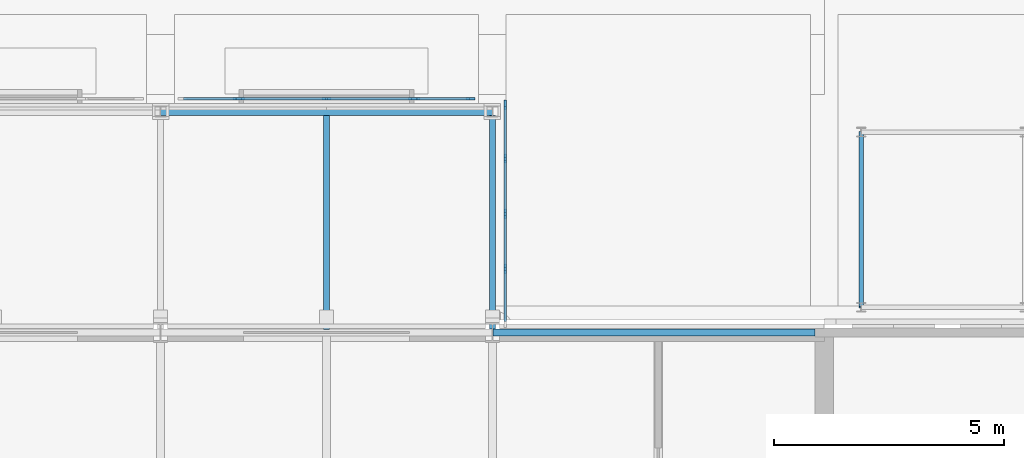
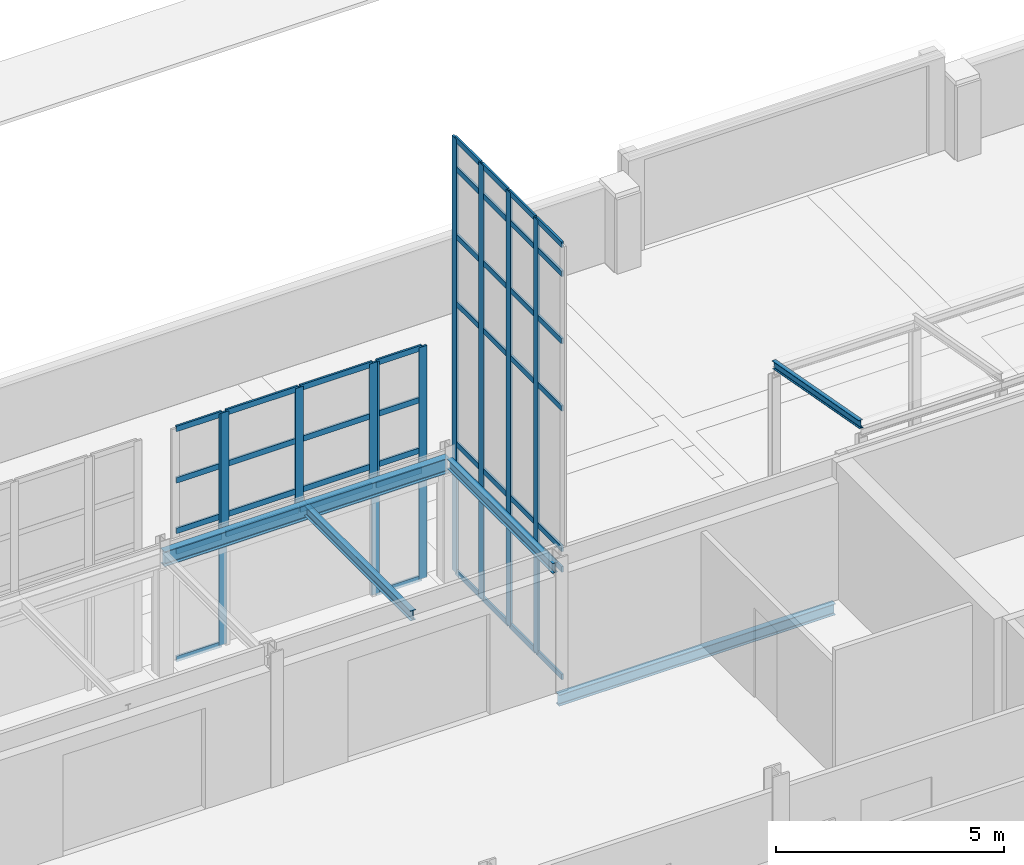
# One storey, part 53 of 143: 56 members, 5 beams, 4 elements without a shape of their own.
"""IFC4 building model written with IfcOpenShell, lengths in metres."""

from ifc_helpers import new_model, si_unit, direction, frame, origin, origin_2d, place, context, subcontext, project, spatial, rectangle, i_section, extrude, material, material_profile, profile_set, type_object, element, aggregate, save


model = new_model("IFC4")

# Units and contexts
model_context = context("Model", 3, precision=1e-05, world=origin(), true_north=direction((0.0, 1.0)))
body_context = subcontext(model_context, "Body", "Model", "MODEL_VIEW")
ifc_project = project(units=[si_unit("LENGTHUNIT", "METRE"), si_unit("AREAUNIT", "SQUARE_METRE"), si_unit("VOLUMEUNIT", "CUBIC_METRE"), si_unit("PLANEANGLEUNIT", "RADIAN"), si_unit("MASSUNIT", "GRAM", prefix="KILO")], contexts=[model_context])

# Site, building, storey
site_placement = place(None, origin())
site = spatial("IfcSite", under=ifc_project, at=site_placement, CompositionType="ELEMENT")
building_placement = place(site_placement, origin())
building = spatial("IfcBuilding", under=site, at=building_placement, Name="Kupolbacken Congress Centre", CompositionType="ELEMENT")
storey_placement = place(building_placement, frame((0.0, 0.0, 7.199951171875)))
storey = spatial("IfcBuildingStorey", under=building, at=storey_placement, Name="L02", CompositionType="ELEMENT", Elevation=7.199951171875)

# Beams
ifc_material_1 = material(Name="Steel S355", Category="steel")
ifc_material_profile_1 = material_profile(ifc_material_1, i_section(OverallWidth=0.10009765625, OverallDepth=0.199951171875, WebThickness=0.005615234375, FlangeThickness=0.008544921875, FilletRadius=0.011962890625, at=origin_2d()), Name="IPE 200")
ifc_profile_set_1 = profile_set([ifc_material_profile_1], Name="Steel S355")
beam_type_1 = type_object("IfcBeamType", Name="B01 beam IPE 200", PredefinedType="BEAM", material=ifc_profile_set_1)
beam_1_placement = place(storey_placement, frame((94.39990234375, 144.550048828125, 3.89013671875), z_axis=(0.0, 0.983444596616, -0.181209065409), x_axis=(-1.0, 0.0, 0.0)))
element("IfcBeam", 1, at=beam_1_placement, inside=storey, type_object=beam_type_1, Name="Covered passage rafter", PredefinedType="BEAM", context=body_context, shape_type="SweptSolid", body=[
    extrude(i_section(OverallWidth=0.10009765625, OverallDepth=0.199951171875, WebThickness=0.005615234375, FlangeThickness=0.008544921875, FilletRadius=0.011962890625, at=origin_2d()), origin(), (0.0, 0.0, 1.0), 3.864013671875),
])
ifc_material_2 = material(Name="Steel S355", Category="steel")
ifc_material_profile_2 = material_profile(ifc_material_2, i_section(OverallWidth=0.135009765625, OverallDepth=0.27001953125, WebThickness=0.006591796875, FlangeThickness=0.01025390625, FilletRadius=0.014892578125, at=origin_2d()), Name="IPE 270")
ifc_profile_set_2 = profile_set([ifc_material_profile_2], Name="Steel S355")
beam_type_2 = type_object("IfcBeamType", Name="B03 beam IPE 270", PredefinedType="BEAM", material=ifc_profile_set_2)
beam_2_placement = place(storey_placement, frame((82.800048828125, 144.06494140625, 3.135009765625), z_axis=(0.0, 1.0, 0.0), x_axis=(-1.0, 0.0, 0.0)))
element("IfcBeam", 2, at=beam_2_placement, inside=storey, type_object=beam_type_2, Name="E/T/portico/N/raft82.8", PredefinedType="BEAM", context=body_context, shape_type="SweptSolid", body=[
    extrude(i_section(OverallWidth=0.135009765625, OverallDepth=0.27001953125, WebThickness=0.006591796875, FlangeThickness=0.01025390625, FilletRadius=0.014892578125, at=origin_2d()), origin(), (0.0, 0.0, 1.0), 4.650146484375),
])
beam_3_placement = place(storey_placement, frame((86.39990234375, 144.080078125, 3.135009765625), z_axis=(0.0, 1.0, 0.0), x_axis=(-1.0, 0.0, 0.0)))
element("IfcBeam", 3, at=beam_3_placement, inside=storey, type_object=beam_type_2, Name="E/T/portico/N/raft86.4", PredefinedType="BEAM", context=body_context, shape_type="SweptSolid", body=[
    extrude(i_section(OverallWidth=0.135009765625, OverallDepth=0.27001953125, WebThickness=0.006591796875, FlangeThickness=0.01025390625, FilletRadius=0.014892578125, at=origin_2d()), origin(), (0.0, 0.0, 1.0), 4.635009765625),
])
ifc_material_3 = material(Name="Steel S355", Category="steel")
ifc_material_profile_3 = material_profile(ifc_material_3, i_section(OverallWidth=0.14990234375, OverallDepth=0.300048828125, WebThickness=0.007080078125, FlangeThickness=0.0107421875, FilletRadius=0.014892578125, at=origin_2d()), Name="IPE 300")
ifc_profile_set_3 = profile_set([ifc_material_profile_3], Name="Steel S355")
beam_type_3 = type_object("IfcBeamType", Name="B04 beam IPE 300", PredefinedType="BEAM", material=ifc_profile_set_3)
beam_4_placement = place(storey_placement, frame((86.410400390625, 144.0, -0.329833984375), z_axis=(1.0, 0.0, 0.0), x_axis=(0.0, 1.0, 0.0)))
element("IfcBeam", 4, at=beam_4_placement, inside=storey, type_object=beam_type_3, Name="S/floor/T/L02/R026", PredefinedType="BEAM", context=body_context, shape_type="SweptSolid", body=[
    extrude(i_section(OverallWidth=0.14990234375, OverallDepth=0.300048828125, WebThickness=0.007080078125, FlangeThickness=0.0107421875, FilletRadius=0.014892578125, at=origin_2d()), origin(), (0.0, 0.0, 1.0), 6.989501953125),
])
ifc_material_4 = material(Name="Steel S355", Category="steel")
ifc_material_profile_4 = material_profile(ifc_material_4, i_section(OverallWidth=0.179931640625, OverallDepth=0.39990234375, WebThickness=0.008544921875, FlangeThickness=0.013427734375, FilletRadius=0.02099609375, at=origin_2d()), Name="IPE 400")
ifc_profile_set_4 = profile_set([ifc_material_profile_4], Name="Steel S355")
beam_type_4 = type_object("IfcBeamType", Name="B07 beam IPE 400", PredefinedType="BEAM", material=ifc_profile_set_4)
beam_5_placement = place(storey_placement, frame((79.199951171875, 148.800048828125, 3.070068359375), z_axis=(1.0, 0.0, 0.0), x_axis=(0.0, 1.0, 0.0)))
element("IfcBeam", 5, at=beam_5_placement, inside=storey, type_object=beam_type_4, Name="E/T/portico/N/lintel79.2", PredefinedType="BEAM", context=body_context, shape_type="SweptSolid", body=[
    extrude(i_section(OverallWidth=0.179931640625, OverallDepth=0.39990234375, WebThickness=0.008544921875, FlangeThickness=0.013427734375, FilletRadius=0.02099609375, at=origin_2d()), origin(), (0.0, 0.0, 1.0), 7.199951171875),
])

# Curtain wall, member
ifc_material_5 = material(Name="Aluminium mullion-transom frame with glass", Category="aluminium")
curtain_wall_type = type_object("IfcCurtainWallType", Name="CW1 curtain wall 7200x3600", PredefinedType="NOTDEFINED", material=ifc_material_5)
curtain_wall_1_placement = place(storey_placement, origin())
curtain_wall_1 = element("IfcCurtainWall", 6, at=curtain_wall_1_placement, inside=storey, type_object=curtain_wall_type, Name="E/T/portal/N/screen79.2/sideW", PredefinedType="NOTDEFINED")
ifc_material_6 = material(Name="Aluminium alloy", Category="aluminium")
ifc_material_profile_5 = material_profile(ifc_material_6, rectangle(XDim=0.050048828125, YDim=0.199951171875, at=origin_2d()), Name="50 x 200")
ifc_profile_set_5 = profile_set([ifc_material_profile_5], Name="Aluminium alloy")
member_type_1 = type_object("IfcMemberType", Name="MU2 mullion 50x200", PredefinedType="MULLION", material=ifc_profile_set_5)
member_1_placement = place(storey_placement, frame((80.875, 149.074951171875, 0.0), z_axis=(0.0, 0.0, 1.0), x_axis=(0.0, -1.0, 0.0)))
member_1 = element("IfcMember", 7, at=member_1_placement, type_object=member_type_1, Name="CW1 mullion 1", PredefinedType="MULLION", context=body_context, shape_type="SweptSolid", body=[
    extrude(rectangle(XDim=0.050048828125, YDim=0.199951171875, at=origin_2d()), origin(), (0.0, 0.0, 1.0), 6.199951171875),
])

# Curtain wall, members
curtain_wall_2_placement = place(storey_placement, origin())
curtain_wall_2 = element("IfcCurtainWall", 8, at=curtain_wall_2_placement, inside=storey, type_object=curtain_wall_type, Name="E/T/portal/N/screen79.2/sideE", PredefinedType="NOTDEFINED")
member_2_placement = place(storey_placement, frame((85.925048828125, 149.074951171875, 0.0), z_axis=(0.0, 0.0, 1.0), x_axis=(0.0, -1.0, 0.0)))
member_2 = element("IfcMember", 9, at=member_2_placement, type_object=member_type_1, Name="CW1 mullion 1", PredefinedType="MULLION", context=body_context, shape_type="SweptSolid", body=[
    extrude(rectangle(XDim=0.050048828125, YDim=0.199951171875, at=origin_2d()), origin(), (0.0, 0.0, 1.0), 6.199951171875),
])
member_3_placement = place(storey_placement, frame((84.72509765625, 149.074951171875, 0.0), z_axis=(0.0, 0.0, 1.0), x_axis=(0.0, -1.0, 0.0)))
member_3 = element("IfcMember", 10, at=member_3_placement, type_object=member_type_1, Name="CW1 mullion 2", PredefinedType="MULLION", context=body_context, shape_type="SweptSolid", body=[
    extrude(rectangle(XDim=0.050048828125, YDim=0.199951171875, at=origin_2d()), origin(), (0.0, 0.0, 1.0), 6.199951171875),
])

curtain_wall_3_placement = place(storey_placement, origin())
curtain_wall_3 = element("IfcCurtainWall", 11, at=curtain_wall_3_placement, inside=storey, type_object=curtain_wall_type, Name="E/T/portal/N/screen79.2/over", PredefinedType="NOTDEFINED")
member_4_placement = place(storey_placement, frame((84.675048828125, 149.074951171875, 2.900146484375), z_axis=(0.0, 0.0, 1.0), x_axis=(0.0, -1.0, 0.0)))
member_4 = element("IfcMember", 12, at=member_4_placement, type_object=member_type_1, Name="CW1 mullion 1", PredefinedType="MULLION", context=body_context, shape_type="SweptSolid", body=[
    extrude(rectangle(XDim=0.050048828125, YDim=0.199951171875, at=origin_2d()), origin(), (0.0, 0.0, 1.0), 3.2998046875),
])
member_5_placement = place(storey_placement, frame((82.800048828125, 149.074951171875, 2.900146484375), z_axis=(0.0, 0.0, 1.0), x_axis=(0.0, -1.0, 0.0)))
member_5 = element("IfcMember", 13, at=member_5_placement, type_object=member_type_1, Name="CW1 mullion 2", PredefinedType="MULLION", context=body_context, shape_type="SweptSolid", body=[
    extrude(rectangle(XDim=0.050048828125, YDim=0.199951171875, at=origin_2d()), origin(), (0.0, 0.0, 1.0), 3.2998046875),
])
member_6_placement = place(storey_placement, frame((80.925048828125, 149.074951171875, 2.900146484375), z_axis=(0.0, 0.0, 1.0), x_axis=(0.0, -1.0, 0.0)))
member_6 = element("IfcMember", 14, at=member_6_placement, type_object=member_type_1, Name="CW1 mullion 3", PredefinedType="MULLION", context=body_context, shape_type="SweptSolid", body=[
    extrude(rectangle(XDim=0.050048828125, YDim=0.199951171875, at=origin_2d()), origin(), (0.0, 0.0, 1.0), 3.2998046875),
])

curtain_wall_4_placement = place(storey_placement, origin())
curtain_wall_4 = element("IfcCurtainWall", 15, at=curtain_wall_4_placement, inside=storey, type_object=curtain_wall_type, Name="E/T/portal/N/screenE", PredefinedType="NOTDEFINED")
member_7_placement = place(storey_placement, frame((86.679931640625, 148.945068359375, 0.0), z_axis=(0.0, 0.0, 1.0), x_axis=(1.0, 0.0, 0.0)))
member_7 = element("IfcMember", 16, at=member_7_placement, type_object=member_type_1, Name="CW1 mullion 1", PredefinedType="MULLION", context=body_context, shape_type="SweptSolid", body=[
    extrude(rectangle(XDim=0.050048828125, YDim=0.199951171875, at=origin_2d()), origin(), (0.0, 0.0, 1.0), 11.60009765625),
])
member_8_placement = place(storey_placement, frame((86.679931640625, 147.77490234375, 0.0), z_axis=(0.0, 0.0, 1.0), x_axis=(1.0, 0.0, 0.0)))
member_8 = element("IfcMember", 17, at=member_8_placement, type_object=member_type_1, Name="CW1 mullion 2", PredefinedType="MULLION", context=body_context, shape_type="SweptSolid", body=[
    extrude(rectangle(XDim=0.050048828125, YDim=0.199951171875, at=origin_2d()), origin(), (0.0, 0.0, 1.0), 11.60009765625),
])
member_9_placement = place(storey_placement, frame((86.679931640625, 146.580078125, 0.0), z_axis=(0.0, 0.0, 1.0), x_axis=(1.0, 0.0, 0.0)))
member_9 = element("IfcMember", 18, at=member_9_placement, type_object=member_type_1, Name="CW1 mullion 3", PredefinedType="MULLION", context=body_context, shape_type="SweptSolid", body=[
    extrude(rectangle(XDim=0.050048828125, YDim=0.199951171875, at=origin_2d()), origin(), (0.0, 0.0, 1.0), 11.60009765625),
])
member_10_placement = place(storey_placement, frame((86.679931640625, 145.385009765625, 0.0), z_axis=(0.0, 0.0, 1.0), x_axis=(1.0, 0.0, 0.0)))
member_10 = element("IfcMember", 19, at=member_10_placement, type_object=member_type_1, Name="CW1 mullion 4", PredefinedType="MULLION", context=body_context, shape_type="SweptSolid", body=[
    extrude(rectangle(XDim=0.050048828125, YDim=0.199951171875, at=origin_2d()), origin(), (0.0, 0.0, 1.0), 11.60009765625),
])

# Member
ifc_material_7 = material(Name="Aluminium alloy", Category="aluminium")
ifc_material_profile_6 = material_profile(ifc_material_7, rectangle(XDim=0.050048828125, YDim=0.14990234375, at=origin_2d()), Name="50 x 150")
ifc_profile_set_6 = profile_set([ifc_material_profile_6], Name="Aluminium alloy")
member_type_2 = type_object("IfcMemberType", Name="TR2 transom 50x150", PredefinedType="MULLION", material=ifc_profile_set_6)
member_11_placement = place(storey_placement, frame((80.85009765625, 149.074951171875, 0.025146484375), z_axis=(-1.0, 0.0, 0.0), x_axis=(0.0, -1.0, 0.0)))
member_11 = element("IfcMember", 20, at=member_11_placement, type_object=member_type_2, Name="CW1 transom 1.1", PredefinedType="MULLION", context=body_context, shape_type="SweptSolid", body=[
    extrude(rectangle(XDim=0.050048828125, YDim=0.14990234375, at=origin_2d()), origin(), (0.0, 0.0, 1.0), 1.150146484375),
])

member_12_placement = place(storey_placement, frame((80.85009765625, 149.074951171875, 2.900146484375), z_axis=(-1.0, 0.0, 0.0), x_axis=(0.0, -1.0, 0.0)))
member_12 = element("IfcMember", 21, at=member_12_placement, type_object=member_type_2, Name="CW1 transom 1.2", PredefinedType="MULLION", context=body_context, shape_type="SweptSolid", body=[
    extrude(rectangle(XDim=0.050048828125, YDim=0.14990234375, at=origin_2d()), origin(), (0.0, 0.0, 1.0), 1.150146484375),
])

member_13_placement = place(storey_placement, frame((80.85009765625, 149.074951171875, 3.449951171875), z_axis=(-1.0, 0.0, 0.0), x_axis=(0.0, -1.0, 0.0)))
member_13 = element("IfcMember", 22, at=member_13_placement, type_object=member_type_2, Name="CW1 transom 1.3", PredefinedType="MULLION", context=body_context, shape_type="SweptSolid", body=[
    extrude(rectangle(XDim=0.050048828125, YDim=0.14990234375, at=origin_2d()), origin(), (0.0, 0.0, 1.0), 1.150146484375),
])

member_14_placement = place(storey_placement, frame((80.85009765625, 149.074951171875, 4.800048828125), z_axis=(-1.0, 0.0, 0.0), x_axis=(0.0, -1.0, 0.0)))
member_14 = element("IfcMember", 23, at=member_14_placement, type_object=member_type_2, Name="CW1 transom 1.4", PredefinedType="MULLION", context=body_context, shape_type="SweptSolid", body=[
    extrude(rectangle(XDim=0.050048828125, YDim=0.14990234375, at=origin_2d()), origin(), (0.0, 0.0, 1.0), 1.150146484375),
])

member_15_placement = place(storey_placement, frame((80.85009765625, 149.074951171875, 6.175048828125), z_axis=(-1.0, 0.0, 0.0), x_axis=(0.0, -1.0, 0.0)))
member_15 = element("IfcMember", 24, at=member_15_placement, type_object=member_type_2, Name="CW1 transom 1.5", PredefinedType="MULLION", context=body_context, shape_type="SweptSolid", body=[
    extrude(rectangle(XDim=0.050048828125, YDim=0.14990234375, at=origin_2d()), origin(), (0.0, 0.0, 1.0), 1.150146484375),
])

aggregate(curtain_wall_1, [member_1, member_11, member_12, member_13, member_14, member_15])

member_16_placement = place(storey_placement, frame((85.89990234375, 149.074951171875, 0.025146484375), z_axis=(-1.0, 0.0, 0.0), x_axis=(0.0, -1.0, 0.0)))
member_16 = element("IfcMember", 25, at=member_16_placement, type_object=member_type_2, Name="CW1 transom 1.1", PredefinedType="MULLION", context=body_context, shape_type="SweptSolid", body=[
    extrude(rectangle(XDim=0.050048828125, YDim=0.14990234375, at=origin_2d()), origin(), (0.0, 0.0, 1.0), 1.14990234375),
])

member_17_placement = place(storey_placement, frame((85.89990234375, 149.074951171875, 2.900146484375), z_axis=(-1.0, 0.0, 0.0), x_axis=(0.0, -1.0, 0.0)))
member_17 = element("IfcMember", 26, at=member_17_placement, type_object=member_type_2, Name="CW1 transom 1.2", PredefinedType="MULLION", context=body_context, shape_type="SweptSolid", body=[
    extrude(rectangle(XDim=0.050048828125, YDim=0.14990234375, at=origin_2d()), origin(), (0.0, 0.0, 1.0), 1.14990234375),
])

member_18_placement = place(storey_placement, frame((85.89990234375, 149.074951171875, 3.449951171875), z_axis=(-1.0, 0.0, 0.0), x_axis=(0.0, -1.0, 0.0)))
member_18 = element("IfcMember", 27, at=member_18_placement, type_object=member_type_2, Name="CW1 transom 1.3", PredefinedType="MULLION", context=body_context, shape_type="SweptSolid", body=[
    extrude(rectangle(XDim=0.050048828125, YDim=0.14990234375, at=origin_2d()), origin(), (0.0, 0.0, 1.0), 1.14990234375),
])

member_19_placement = place(storey_placement, frame((85.89990234375, 149.074951171875, 4.800048828125), z_axis=(-1.0, 0.0, 0.0), x_axis=(0.0, -1.0, 0.0)))
member_19 = element("IfcMember", 28, at=member_19_placement, type_object=member_type_2, Name="CW1 transom 1.4", PredefinedType="MULLION", context=body_context, shape_type="SweptSolid", body=[
    extrude(rectangle(XDim=0.050048828125, YDim=0.14990234375, at=origin_2d()), origin(), (0.0, 0.0, 1.0), 1.14990234375),
])

member_20_placement = place(storey_placement, frame((85.89990234375, 149.074951171875, 6.175048828125), z_axis=(-1.0, 0.0, 0.0), x_axis=(0.0, -1.0, 0.0)))
member_20 = element("IfcMember", 29, at=member_20_placement, type_object=member_type_2, Name="CW1 transom 1.5", PredefinedType="MULLION", context=body_context, shape_type="SweptSolid", body=[
    extrude(rectangle(XDim=0.050048828125, YDim=0.14990234375, at=origin_2d()), origin(), (0.0, 0.0, 1.0), 1.14990234375),
])

aggregate(curtain_wall_2, [member_2, member_3, member_16, member_17, member_18, member_19, member_20])

member_21_placement = place(storey_placement, frame((84.64990234375, 149.074951171875, 2.925048828125), z_axis=(-1.0, 0.0, 0.0), x_axis=(0.0, -1.0, 0.0)))
member_21 = element("IfcMember", 30, at=member_21_placement, type_object=member_type_2, Name="CW1 transom 1.1", PredefinedType="MULLION", context=body_context, shape_type="SweptSolid", body=[
    extrude(rectangle(XDim=0.050048828125, YDim=0.14990234375, at=origin_2d()), origin(), (0.0, 0.0, 1.0), 1.824951171875),
])

member_22_placement = place(storey_placement, frame((84.64990234375, 149.074951171875, 3.449951171875), z_axis=(-1.0, 0.0, 0.0), x_axis=(0.0, -1.0, 0.0)))
member_22 = element("IfcMember", 31, at=member_22_placement, type_object=member_type_2, Name="CW1 transom 1.2", PredefinedType="MULLION", context=body_context, shape_type="SweptSolid", body=[
    extrude(rectangle(XDim=0.050048828125, YDim=0.14990234375, at=origin_2d()), origin(), (0.0, 0.0, 1.0), 1.824951171875),
])

member_23_placement = place(storey_placement, frame((84.64990234375, 149.074951171875, 4.800048828125), z_axis=(-1.0, 0.0, 0.0), x_axis=(0.0, -1.0, 0.0)))
member_23 = element("IfcMember", 32, at=member_23_placement, type_object=member_type_2, Name="CW1 transom 1.3", PredefinedType="MULLION", context=body_context, shape_type="SweptSolid", body=[
    extrude(rectangle(XDim=0.050048828125, YDim=0.14990234375, at=origin_2d()), origin(), (0.0, 0.0, 1.0), 1.824951171875),
])

member_24_placement = place(storey_placement, frame((84.64990234375, 149.074951171875, 6.175048828125), z_axis=(-1.0, 0.0, 0.0), x_axis=(0.0, -1.0, 0.0)))
member_24 = element("IfcMember", 33, at=member_24_placement, type_object=member_type_2, Name="CW1 transom 1.4", PredefinedType="MULLION", context=body_context, shape_type="SweptSolid", body=[
    extrude(rectangle(XDim=0.050048828125, YDim=0.14990234375, at=origin_2d()), origin(), (0.0, 0.0, 1.0), 1.824951171875),
])

member_25_placement = place(storey_placement, frame((82.77490234375, 149.074951171875, 2.925048828125), z_axis=(-1.0, 0.0, 0.0), x_axis=(0.0, -1.0, 0.0)))
member_25 = element("IfcMember", 34, at=member_25_placement, type_object=member_type_2, Name="CW1 transom 2.1", PredefinedType="MULLION", context=body_context, shape_type="SweptSolid", body=[
    extrude(rectangle(XDim=0.050048828125, YDim=0.14990234375, at=origin_2d()), origin(), (0.0, 0.0, 1.0), 1.824951171875),
])

member_26_placement = place(storey_placement, frame((82.77490234375, 149.074951171875, 3.449951171875), z_axis=(-1.0, 0.0, 0.0), x_axis=(0.0, -1.0, 0.0)))
member_26 = element("IfcMember", 35, at=member_26_placement, type_object=member_type_2, Name="CW1 transom 2.2", PredefinedType="MULLION", context=body_context, shape_type="SweptSolid", body=[
    extrude(rectangle(XDim=0.050048828125, YDim=0.14990234375, at=origin_2d()), origin(), (0.0, 0.0, 1.0), 1.824951171875),
])

member_27_placement = place(storey_placement, frame((82.77490234375, 149.074951171875, 4.800048828125), z_axis=(-1.0, 0.0, 0.0), x_axis=(0.0, -1.0, 0.0)))
member_27 = element("IfcMember", 36, at=member_27_placement, type_object=member_type_2, Name="CW1 transom 2.3", PredefinedType="MULLION", context=body_context, shape_type="SweptSolid", body=[
    extrude(rectangle(XDim=0.050048828125, YDim=0.14990234375, at=origin_2d()), origin(), (0.0, 0.0, 1.0), 1.824951171875),
])

member_28_placement = place(storey_placement, frame((82.77490234375, 149.074951171875, 6.175048828125), z_axis=(-1.0, 0.0, 0.0), x_axis=(0.0, -1.0, 0.0)))
member_28 = element("IfcMember", 37, at=member_28_placement, type_object=member_type_2, Name="CW1 transom 2.4", PredefinedType="MULLION", context=body_context, shape_type="SweptSolid", body=[
    extrude(rectangle(XDim=0.050048828125, YDim=0.14990234375, at=origin_2d()), origin(), (0.0, 0.0, 1.0), 1.824951171875),
])

aggregate(curtain_wall_3, [member_4, member_5, member_6, member_21, member_22, member_23, member_24, member_25, member_26, member_27, member_28])

member_29_placement = place(storey_placement, frame((86.679931640625, 148.919921875, 0.025146484375), z_axis=(0.0, -1.0, 0.0), x_axis=(1.0, 0.0, 0.0)))
member_29 = element("IfcMember", 38, at=member_29_placement, type_object=member_type_2, Name="CW1 transom 1.1", PredefinedType="MULLION", context=body_context, shape_type="SweptSolid", body=[
    extrude(rectangle(XDim=0.050048828125, YDim=0.14990234375, at=origin_2d()), origin(), (0.0, 0.0, 1.0), 1.119873046875),
])

member_30_placement = place(storey_placement, frame((86.679931640625, 148.919921875, 2.900146484375), z_axis=(0.0, -1.0, 0.0), x_axis=(1.0, 0.0, 0.0)))
member_30 = element("IfcMember", 39, at=member_30_placement, type_object=member_type_2, Name="CW1 transom 1.2", PredefinedType="MULLION", context=body_context, shape_type="SweptSolid", body=[
    extrude(rectangle(XDim=0.050048828125, YDim=0.14990234375, at=origin_2d()), origin(), (0.0, 0.0, 1.0), 1.119873046875),
])

member_31_placement = place(storey_placement, frame((86.679931640625, 148.919921875, 3.449951171875), z_axis=(0.0, -1.0, 0.0), x_axis=(1.0, 0.0, 0.0)))
member_31 = element("IfcMember", 40, at=member_31_placement, type_object=member_type_2, Name="CW1 transom 1.3", PredefinedType="MULLION", context=body_context, shape_type="SweptSolid", body=[
    extrude(rectangle(XDim=0.050048828125, YDim=0.14990234375, at=origin_2d()), origin(), (0.0, 0.0, 1.0), 1.119873046875),
])

member_32_placement = place(storey_placement, frame((86.679931640625, 148.919921875, 7.199951171875), z_axis=(0.0, -1.0, 0.0), x_axis=(1.0, 0.0, 0.0)))
member_32 = element("IfcMember", 41, at=member_32_placement, type_object=member_type_2, Name="CW1 transom 1.4", PredefinedType="MULLION", context=body_context, shape_type="SweptSolid", body=[
    extrude(rectangle(XDim=0.050048828125, YDim=0.14990234375, at=origin_2d()), origin(), (0.0, 0.0, 1.0), 1.119873046875),
])

member_33_placement = place(storey_placement, frame((86.679931640625, 148.919921875, 9.0), z_axis=(0.0, -1.0, 0.0), x_axis=(1.0, 0.0, 0.0)))
member_33 = element("IfcMember", 42, at=member_33_placement, type_object=member_type_2, Name="CW1 transom 1.5", PredefinedType="MULLION", context=body_context, shape_type="SweptSolid", body=[
    extrude(rectangle(XDim=0.050048828125, YDim=0.14990234375, at=origin_2d()), origin(), (0.0, 0.0, 1.0), 1.119873046875),
])

member_34_placement = place(storey_placement, frame((86.679931640625, 148.919921875, 10.800048828125), z_axis=(0.0, -1.0, 0.0), x_axis=(1.0, 0.0, 0.0)))
member_34 = element("IfcMember", 43, at=member_34_placement, type_object=member_type_2, Name="CW1 transom 1.6", PredefinedType="MULLION", context=body_context, shape_type="SweptSolid", body=[
    extrude(rectangle(XDim=0.050048828125, YDim=0.14990234375, at=origin_2d()), origin(), (0.0, 0.0, 1.0), 1.119873046875),
])

member_35_placement = place(storey_placement, frame((86.679931640625, 148.919921875, 11.574951171875), z_axis=(0.0, -1.0, 0.0), x_axis=(1.0, 0.0, 0.0)))
member_35 = element("IfcMember", 44, at=member_35_placement, type_object=member_type_2, Name="CW1 transom 1.7", PredefinedType="MULLION", context=body_context, shape_type="SweptSolid", body=[
    extrude(rectangle(XDim=0.050048828125, YDim=0.14990234375, at=origin_2d()), origin(), (0.0, 0.0, 1.0), 1.119873046875),
])

member_36_placement = place(storey_placement, frame((86.679931640625, 147.75, 0.025146484375), z_axis=(0.0, -1.0, 0.0), x_axis=(1.0, 0.0, 0.0)))
member_36 = element("IfcMember", 45, at=member_36_placement, type_object=member_type_2, Name="CW1 transom 2.1", PredefinedType="MULLION", context=body_context, shape_type="SweptSolid", body=[
    extrude(rectangle(XDim=0.050048828125, YDim=0.14990234375, at=origin_2d()), origin(), (0.0, 0.0, 1.0), 1.14501953125),
])

member_37_placement = place(storey_placement, frame((86.679931640625, 147.75, 2.900146484375), z_axis=(0.0, -1.0, 0.0), x_axis=(1.0, 0.0, 0.0)))
member_37 = element("IfcMember", 46, at=member_37_placement, type_object=member_type_2, Name="CW1 transom 2.2", PredefinedType="MULLION", context=body_context, shape_type="SweptSolid", body=[
    extrude(rectangle(XDim=0.050048828125, YDim=0.14990234375, at=origin_2d()), origin(), (0.0, 0.0, 1.0), 1.14501953125),
])

member_38_placement = place(storey_placement, frame((86.679931640625, 147.75, 3.449951171875), z_axis=(0.0, -1.0, 0.0), x_axis=(1.0, 0.0, 0.0)))
member_38 = element("IfcMember", 47, at=member_38_placement, type_object=member_type_2, Name="CW1 transom 2.3", PredefinedType="MULLION", context=body_context, shape_type="SweptSolid", body=[
    extrude(rectangle(XDim=0.050048828125, YDim=0.14990234375, at=origin_2d()), origin(), (0.0, 0.0, 1.0), 1.14501953125),
])

member_39_placement = place(storey_placement, frame((86.679931640625, 147.75, 7.199951171875), z_axis=(0.0, -1.0, 0.0), x_axis=(1.0, 0.0, 0.0)))
member_39 = element("IfcMember", 48, at=member_39_placement, type_object=member_type_2, Name="CW1 transom 2.4", PredefinedType="MULLION", context=body_context, shape_type="SweptSolid", body=[
    extrude(rectangle(XDim=0.050048828125, YDim=0.14990234375, at=origin_2d()), origin(), (0.0, 0.0, 1.0), 1.14501953125),
])

member_40_placement = place(storey_placement, frame((86.679931640625, 147.75, 9.0), z_axis=(0.0, -1.0, 0.0), x_axis=(1.0, 0.0, 0.0)))
member_40 = element("IfcMember", 49, at=member_40_placement, type_object=member_type_2, Name="CW1 transom 2.5", PredefinedType="MULLION", context=body_context, shape_type="SweptSolid", body=[
    extrude(rectangle(XDim=0.050048828125, YDim=0.14990234375, at=origin_2d()), origin(), (0.0, 0.0, 1.0), 1.14501953125),
])

member_41_placement = place(storey_placement, frame((86.679931640625, 147.75, 10.800048828125), z_axis=(0.0, -1.0, 0.0), x_axis=(1.0, 0.0, 0.0)))
member_41 = element("IfcMember", 50, at=member_41_placement, type_object=member_type_2, Name="CW1 transom 2.6", PredefinedType="MULLION", context=body_context, shape_type="SweptSolid", body=[
    extrude(rectangle(XDim=0.050048828125, YDim=0.14990234375, at=origin_2d()), origin(), (0.0, 0.0, 1.0), 1.14501953125),
])

member_42_placement = place(storey_placement, frame((86.679931640625, 147.75, 11.574951171875), z_axis=(0.0, -1.0, 0.0), x_axis=(1.0, 0.0, 0.0)))
member_42 = element("IfcMember", 51, at=member_42_placement, type_object=member_type_2, Name="CW1 transom 2.7", PredefinedType="MULLION", context=body_context, shape_type="SweptSolid", body=[
    extrude(rectangle(XDim=0.050048828125, YDim=0.14990234375, at=origin_2d()), origin(), (0.0, 0.0, 1.0), 1.14501953125),
])

member_43_placement = place(storey_placement, frame((86.679931640625, 146.554931640625, 0.025146484375), z_axis=(0.0, -1.0, 0.0), x_axis=(1.0, 0.0, 0.0)))
member_43 = element("IfcMember", 52, at=member_43_placement, type_object=member_type_2, Name="CW1 transom 3.1", PredefinedType="MULLION", context=body_context, shape_type="SweptSolid", body=[
    extrude(rectangle(XDim=0.050048828125, YDim=0.14990234375, at=origin_2d()), origin(), (0.0, 0.0, 1.0), 1.14501953125),
])

member_44_placement = place(storey_placement, frame((86.679931640625, 146.554931640625, 2.900146484375), z_axis=(0.0, -1.0, 0.0), x_axis=(1.0, 0.0, 0.0)))
member_44 = element("IfcMember", 53, at=member_44_placement, type_object=member_type_2, Name="CW1 transom 3.2", PredefinedType="MULLION", context=body_context, shape_type="SweptSolid", body=[
    extrude(rectangle(XDim=0.050048828125, YDim=0.14990234375, at=origin_2d()), origin(), (0.0, 0.0, 1.0), 1.14501953125),
])

member_45_placement = place(storey_placement, frame((86.679931640625, 146.554931640625, 3.449951171875), z_axis=(0.0, -1.0, 0.0), x_axis=(1.0, 0.0, 0.0)))
member_45 = element("IfcMember", 54, at=member_45_placement, type_object=member_type_2, Name="CW1 transom 3.3", PredefinedType="MULLION", context=body_context, shape_type="SweptSolid", body=[
    extrude(rectangle(XDim=0.050048828125, YDim=0.14990234375, at=origin_2d()), origin(), (0.0, 0.0, 1.0), 1.14501953125),
])

member_46_placement = place(storey_placement, frame((86.679931640625, 146.554931640625, 7.199951171875), z_axis=(0.0, -1.0, 0.0), x_axis=(1.0, 0.0, 0.0)))
member_46 = element("IfcMember", 55, at=member_46_placement, type_object=member_type_2, Name="CW1 transom 3.4", PredefinedType="MULLION", context=body_context, shape_type="SweptSolid", body=[
    extrude(rectangle(XDim=0.050048828125, YDim=0.14990234375, at=origin_2d()), origin(), (0.0, 0.0, 1.0), 1.14501953125),
])

member_47_placement = place(storey_placement, frame((86.679931640625, 146.554931640625, 9.0), z_axis=(0.0, -1.0, 0.0), x_axis=(1.0, 0.0, 0.0)))
member_47 = element("IfcMember", 56, at=member_47_placement, type_object=member_type_2, Name="CW1 transom 3.5", PredefinedType="MULLION", context=body_context, shape_type="SweptSolid", body=[
    extrude(rectangle(XDim=0.050048828125, YDim=0.14990234375, at=origin_2d()), origin(), (0.0, 0.0, 1.0), 1.14501953125),
])

member_48_placement = place(storey_placement, frame((86.679931640625, 146.554931640625, 10.800048828125), z_axis=(0.0, -1.0, 0.0), x_axis=(1.0, 0.0, 0.0)))
member_48 = element("IfcMember", 57, at=member_48_placement, type_object=member_type_2, Name="CW1 transom 3.6", PredefinedType="MULLION", context=body_context, shape_type="SweptSolid", body=[
    extrude(rectangle(XDim=0.050048828125, YDim=0.14990234375, at=origin_2d()), origin(), (0.0, 0.0, 1.0), 1.14501953125),
])

member_49_placement = place(storey_placement, frame((86.679931640625, 146.554931640625, 11.574951171875), z_axis=(0.0, -1.0, 0.0), x_axis=(1.0, 0.0, 0.0)))
member_49 = element("IfcMember", 58, at=member_49_placement, type_object=member_type_2, Name="CW1 transom 3.7", PredefinedType="MULLION", context=body_context, shape_type="SweptSolid", body=[
    extrude(rectangle(XDim=0.050048828125, YDim=0.14990234375, at=origin_2d()), origin(), (0.0, 0.0, 1.0), 1.14501953125),
])

member_50_placement = place(storey_placement, frame((86.679931640625, 145.360107421875, 0.025146484375), z_axis=(0.0, -1.0, 0.0), x_axis=(1.0, 0.0, 0.0)))
member_50 = element("IfcMember", 59, at=member_50_placement, type_object=member_type_2, Name="CW1 transom 4.1", PredefinedType="MULLION", context=body_context, shape_type="SweptSolid", body=[
    extrude(rectangle(XDim=0.050048828125, YDim=0.14990234375, at=origin_2d()), origin(), (0.0, 0.0, 1.0), 1.1201171875),
])

member_51_placement = place(storey_placement, frame((86.679931640625, 145.360107421875, 2.900146484375), z_axis=(0.0, -1.0, 0.0), x_axis=(1.0, 0.0, 0.0)))
member_51 = element("IfcMember", 60, at=member_51_placement, type_object=member_type_2, Name="CW1 transom 4.2", PredefinedType="MULLION", context=body_context, shape_type="SweptSolid", body=[
    extrude(rectangle(XDim=0.050048828125, YDim=0.14990234375, at=origin_2d()), origin(), (0.0, 0.0, 1.0), 1.1201171875),
])

member_52_placement = place(storey_placement, frame((86.679931640625, 145.360107421875, 3.449951171875), z_axis=(0.0, -1.0, 0.0), x_axis=(1.0, 0.0, 0.0)))
member_52 = element("IfcMember", 61, at=member_52_placement, type_object=member_type_2, Name="CW1 transom 4.3", PredefinedType="MULLION", context=body_context, shape_type="SweptSolid", body=[
    extrude(rectangle(XDim=0.050048828125, YDim=0.14990234375, at=origin_2d()), origin(), (0.0, 0.0, 1.0), 1.1201171875),
])

member_53_placement = place(storey_placement, frame((86.679931640625, 145.360107421875, 7.199951171875), z_axis=(0.0, -1.0, 0.0), x_axis=(1.0, 0.0, 0.0)))
member_53 = element("IfcMember", 62, at=member_53_placement, type_object=member_type_2, Name="CW1 transom 4.4", PredefinedType="MULLION", context=body_context, shape_type="SweptSolid", body=[
    extrude(rectangle(XDim=0.050048828125, YDim=0.14990234375, at=origin_2d()), origin(), (0.0, 0.0, 1.0), 1.1201171875),
])

member_54_placement = place(storey_placement, frame((86.679931640625, 145.360107421875, 9.0), z_axis=(0.0, -1.0, 0.0), x_axis=(1.0, 0.0, 0.0)))
member_54 = element("IfcMember", 63, at=member_54_placement, type_object=member_type_2, Name="CW1 transom 4.5", PredefinedType="MULLION", context=body_context, shape_type="SweptSolid", body=[
    extrude(rectangle(XDim=0.050048828125, YDim=0.14990234375, at=origin_2d()), origin(), (0.0, 0.0, 1.0), 1.1201171875),
])

member_55_placement = place(storey_placement, frame((86.679931640625, 145.360107421875, 10.800048828125), z_axis=(0.0, -1.0, 0.0), x_axis=(1.0, 0.0, 0.0)))
member_55 = element("IfcMember", 64, at=member_55_placement, type_object=member_type_2, Name="CW1 transom 4.6", PredefinedType="MULLION", context=body_context, shape_type="SweptSolid", body=[
    extrude(rectangle(XDim=0.050048828125, YDim=0.14990234375, at=origin_2d()), origin(), (0.0, 0.0, 1.0), 1.1201171875),
])

member_56_placement = place(storey_placement, frame((86.679931640625, 145.360107421875, 11.574951171875), z_axis=(0.0, -1.0, 0.0), x_axis=(1.0, 0.0, 0.0)))
member_56 = element("IfcMember", 65, at=member_56_placement, type_object=member_type_2, Name="CW1 transom 4.7", PredefinedType="MULLION", context=body_context, shape_type="SweptSolid", body=[
    extrude(rectangle(XDim=0.050048828125, YDim=0.14990234375, at=origin_2d()), origin(), (0.0, 0.0, 1.0), 1.1201171875),
])

aggregate(curtain_wall_4, [member_7, member_8, member_9, member_10, member_29, member_30, member_31, member_32, member_33, member_34, member_35, member_36, member_37, member_38, member_39, member_40, member_41, member_42, member_43, member_44, member_45, member_46, member_47, member_48, member_49, member_50, member_51, member_52, member_53, member_54, member_55, member_56])

save(model, "model.ifc")
